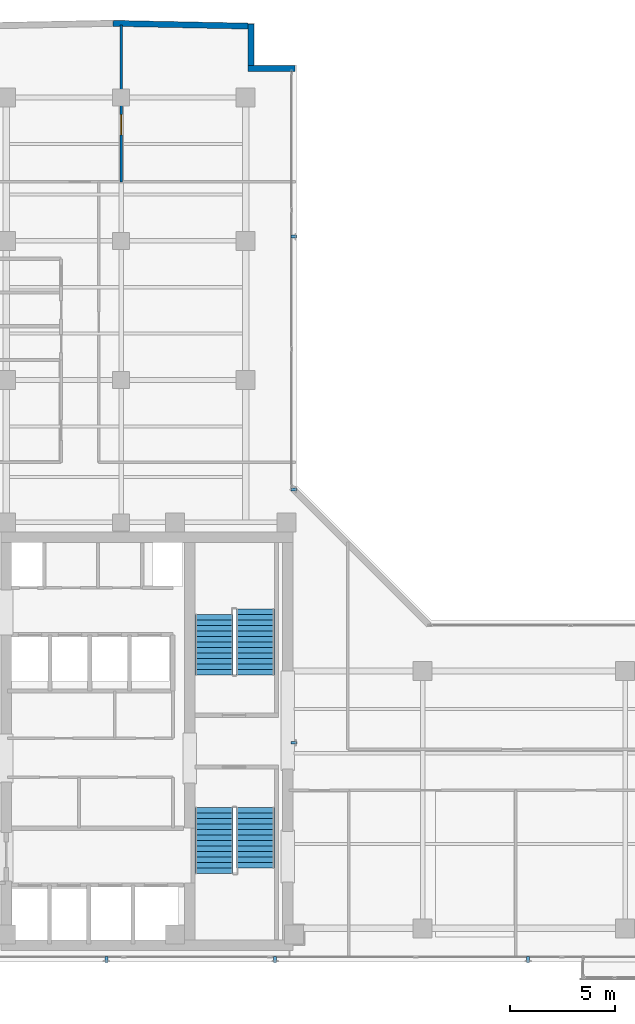
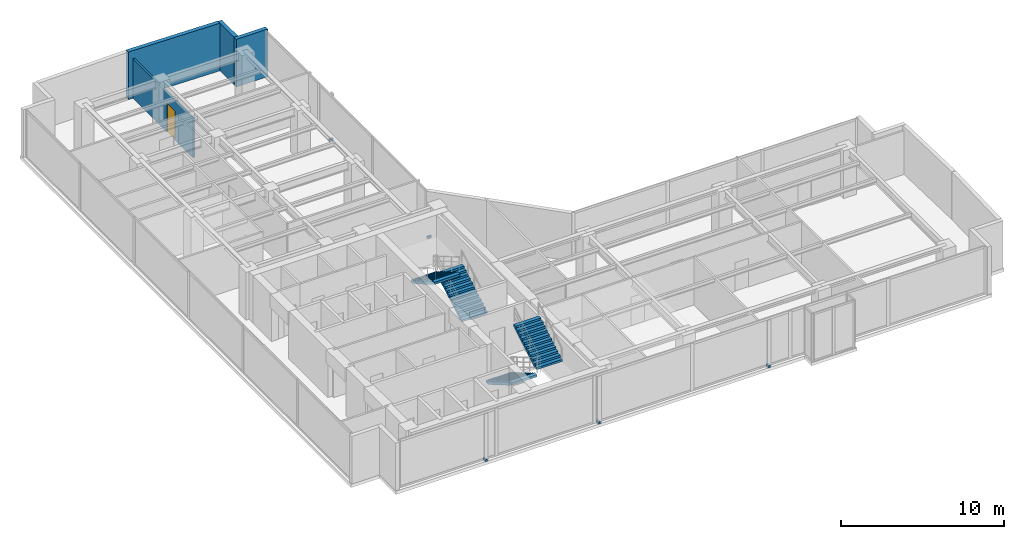
# One storey, part 19 of 24: 6 discrete accessories, 4 stair flights, 4 walls, 1 door, 1 opening, 2 elements without a shape of their own.
"""IFC4 building model written with IfcOpenShell, lengths in metres."""

from ifc_helpers import new_model, si_unit, direction, frame, frame_2d, origin, origin_with_axes, origin_2d, place, context, subcontext, project, spatial, polyline, rectangle, outline, extrude, source, transform, mapped, material, layer, layer_set, type_object, element, fill, aggregate, save


model = new_model("IFC4")

# Units and contexts
model_context = context("Model", 3, precision=1e-05, world=origin(), true_north=direction((0.0, 1.0)))
body_context = subcontext(model_context, "Body", "Model", "MODEL_VIEW")
ifc_project = project(units=[si_unit("LENGTHUNIT", "METRE"), si_unit("AREAUNIT", "SQUARE_METRE"), si_unit("VOLUMEUNIT", "CUBIC_METRE"), si_unit("PLANEANGLEUNIT", "RADIAN"), si_unit("MASSUNIT", "GRAM", prefix="KILO")], contexts=[model_context])

# Site, building, storey
site_placement = place(None, origin())
site = spatial("IfcSite", under=ifc_project, at=site_placement, CompositionType="ELEMENT")
building_placement = place(site_placement, origin())
building = spatial("IfcBuilding", under=site, at=building_placement, Name="Kolvaren Waterfront Exchange", CompositionType="ELEMENT")
storey_placement = place(building_placement, frame((0.0, 0.0, 331.199951171875)))
storey = spatial("IfcBuildingStorey", under=building, at=storey_placement, Name="L85", CompositionType="ELEMENT", Elevation=331.199951171875)

# Walls
ifc_material_1 = material(Name="Precast concrete C40/50", Category="concrete")
ifc_layer_1 = layer(ifc_material_1, 0.280029296875, Name="Precast concrete C40/50")
ifc_layer_set_1 = layer_set([ifc_layer_1], Name="Precast concrete C40/50")
wall_type_1 = type_object("IfcWallType", Name="ARC-EXT-TERR-280", PredefinedType="SOLIDWALL", material=ifc_layer_set_1)
wall_1_placement = place(storey_placement, frame((18.910400390625, 45.976806640625, 0.0), z_axis=(0.0, 0.0, 1.0), x_axis=(1.0, 0.0, 0.0)))
element("IfcWall", 1, at=wall_1_placement, inside=storey, type_object=wall_type_1, Name="L85 notched corner spandrel pier NNE-A", PredefinedType="SOLIDWALL", context=body_context, shape_type="SweptSolid", body=[
    extrude(rectangle(XDim=2.239990234375, YDim=0.280029296875, at=frame_2d((1.1201171875, 0.0))), origin(), (0.0, 0.0, 1.0), 3.56005859375),
])
wall_2_placement = place(storey_placement, frame((19.050537109375, 46.11669921875, 0.0), z_axis=(0.0, 0.0, 1.0), x_axis=(0.0, 1.0, 0.0)))
element("IfcWall", 2, at=wall_2_placement, inside=storey, type_object=wall_type_1, Name="L85 notched corner spandrel pier NNE-B", PredefinedType="SOLIDWALL", context=body_context, shape_type="SweptSolid", body=[
    extrude(rectangle(XDim=1.960205078125, YDim=0.280029296875, at=frame_2d((0.97998046875, 0.0))), origin(), (0.0, 0.0, 1.0), 3.56005859375),
])
wall_3_placement = place(storey_placement, frame((18.9072265625, 47.98291015625, 0.0), z_axis=(0.0, 0.0, 1.0), x_axis=(-0.999791627443, 0.020413272503, 0.0)))
element("IfcWall", 3, at=wall_3_placement, inside=storey, type_object=wall_type_1, Name="L85 north prow faceted facade wall 1", PredefinedType="SOLIDWALL", context=body_context, shape_type="SweptSolid", body=[
    extrude(rectangle(XDim=6.386474609375, YDim=0.280029296875, at=frame_2d((3.193359375, 0.0))), origin(), (0.0, 0.0, 1.0), 3.56005859375),
])

# Wall, opening, door
ifc_material_2 = material(Name="Acoustic gypsum steel stud", Category="steel")
ifc_layer_2 = layer(ifc_material_2, 0.125, Name="Acoustic gypsum steel stud")
ifc_layer_set_2 = layer_set([ifc_layer_2], Name="Acoustic gypsum steel stud")
wall_type_2 = type_object("IfcWallType", Name="ARC-PART-125", PredefinedType="PARTITIONING", material=ifc_layer_set_2)
wall_4_placement = place(storey_placement, frame((12.89990234375, 40.60009765625, 0.0), z_axis=(0.0, 0.0, 1.0), x_axis=(0.0, 1.0, 0.0)))
wall_4 = element("IfcWall", 4, at=wall_4_placement, inside=storey, type_object=wall_type_2, Name="L85 interior wall PW-L85-NTIP-DIV", PredefinedType="PARTITIONING", context=body_context, shape_type="SweptSolid", body=[
    extrude(rectangle(XDim=7.43359375, YDim=0.125, at=frame_2d((3.716796875, 0.0))), origin(), (0.0, 0.0, 1.0), 2.9599609375),
])
opening_placement = place(wall_4_placement, frame((2.230712890625, 0.0, 0.0)))
opening = element("IfcOpeningElement", 5, at=opening_placement, cuts=wall_4, Name="Opening D02", PredefinedType="OPENING", context=body_context, shape_type="SweptSolid", body=[
    extrude(rectangle(XDim=0.949951171875, YDim=2.14990234375, at=frame_2d((0.47509765625, 1.074951171875))), frame((0.0, 0.072509765625, 0.0), z_axis=(0.0, -1.0, 0.0), x_axis=(1.0, 0.0, 0.0)), (0.0, 0.0, 1.0), 0.14501953125),
])
ifc_material_3 = material(Name="Oak veneer acoustic timber", Category="wood")
door_type = type_object("IfcDoorType", Name="ARC-DR-950", OperationType="NOTDEFINED", PredefinedType="DOOR", material=ifc_material_3)
door_placement = place(opening_placement, origin())
door = element("IfcDoor", 6, at=door_placement, inside=storey, type_object=door_type, Name="L85 door DR-L85-NTIPE-D (D02)", OperationType="SINGLE_SWING_RIGHT", OverallHeight=2.14990234375, OverallWidth=0.949951171875, PredefinedType="DOOR", context=body_context, shape_type="SweptSolid", body=[
    extrude(rectangle(XDim=0.949951171875, YDim=2.14990234375, at=frame_2d((0.47509765625, 1.074951171875))), frame((0.0, 0.02490234375, 0.0), z_axis=(0.0, -1.0, 0.0), x_axis=(1.0, 0.0, 0.0)), (0.0, 0.0, 1.0), 0.050048828125),
])
fill(opening, door)

# Stair, stair flights
ifc_material_4 = material(Name="Concrete C40/50", Category="concrete")
stair_type = type_object("IfcStairType", Name="ARC-STAIR-3800", PredefinedType="HALF_TURN_STAIR", material=ifc_material_4)
stair_1_placement = place(storey_placement, origin())
stair_1 = element("IfcStair", 7, at=stair_1_placement, inside=storey, type_object=stair_type, Name="L85 Smoke-proof exit stair ST1", PredefinedType="HALF_TURN_STAIR")
stair_flight_type = type_object("IfcStairFlightType", Name="ARC-FLIGHT-3800", PredefinedType="STRAIGHT", material=ifc_material_4)
stair_flight_1_placement = place(storey_placement, frame((17.300048828125, 10.929931640625, 0.0), z_axis=(0.0, 0.0, 1.0), x_axis=(0.0, -1.0, 0.0)))
stair_flight_1 = element("IfcStairFlight", 8, at=stair_flight_1_placement, type_object=stair_flight_type, Name="ST1 flight 1", NumberOfRisers=13, NumberOfTreads=12, PredefinedType="STRAIGHT", RiserHeight=0.152, TreadLength=0.26, context=body_context, shape_type="SweptSolid", body=[
    extrude(outline(polyline([(0.0, 0.0), (0.0, 0.152099609375), (0.260009765625, 0.152099609375), (0.260009765625, 0.303955078125), (0.52001953125, 0.303955078125), (0.52001953125, 0.4560546875), (0.780029296875, 0.4560546875), (0.780029296875, 0.60791015625), (1.0400390625, 0.60791015625), (1.0400390625, 0.760009765625), (1.300048828125, 0.760009765625), (1.300048828125, 0.912109375), (1.56005859375, 0.912109375), (1.56005859375, 1.06396484375), (1.820068359375, 1.06396484375), (1.820068359375, 1.216064453125), (2.080078125, 1.216064453125), (2.080078125, 1.367919921875), (2.340087890625, 1.367919921875), (2.340087890625, 1.52001953125), (2.60009765625, 1.52001953125), (2.60009765625, 1.672119140625), (2.860107421875, 1.672119140625), (2.860107421875, 1.823974609375), (3.1201171875, 1.823974609375), (3.1201171875, 1.97607421875), (3.1201171875, 1.650390625), (0.297119140625, 0.0), (0.0, 0.0)])), frame((0.0, 0.89990234375, 0.0), z_axis=(0.0, -1.0, 0.0), x_axis=(1.0, 0.0, 0.0)), (0.0, 0.0, 1.0), 1.800048828125),
])
stair_flight_2_placement = place(storey_placement, frame((19.260009765625, 8.070068359375, 1.97607421875), z_axis=(0.0, 0.0, 1.0), x_axis=(0.0, 1.0, 0.0)))
stair_flight_2 = element("IfcStairFlight", 9, at=stair_flight_2_placement, type_object=stair_flight_type, Name="ST1 flight 2", NumberOfRisers=12, NumberOfTreads=11, PredefinedType="STRAIGHT", RiserHeight=0.152, TreadLength=0.26, context=body_context, shape_type="SweptSolid", body=[
    extrude(outline(polyline([(0.0, 0.0), (0.0, 0.152099609375), (0.260009765625, 0.152099609375), (0.260009765625, 0.303955078125), (0.52001953125, 0.303955078125), (0.52001953125, 0.4560546875), (0.780029296875, 0.4560546875), (0.780029296875, 0.60791015625), (1.0400390625, 0.60791015625), (1.0400390625, 0.760009765625), (1.300048828125, 0.760009765625), (1.300048828125, 0.912109375), (1.56005859375, 0.912109375), (1.56005859375, 1.06396484375), (1.820068359375, 1.06396484375), (1.820068359375, 1.216064453125), (2.080078125, 1.216064453125), (2.080078125, 1.367919921875), (2.340087890625, 1.367919921875), (2.340087890625, 1.52001953125), (2.60009765625, 1.52001953125), (2.60009765625, 1.672119140625), (2.860107421875, 1.672119140625), (2.860107421875, 1.823974609375), (2.860107421875, 1.498291015625), (0.297119140625, 0.0), (0.0, 0.0)])), frame((0.0, 0.89990234375, 0.0), z_axis=(0.0, -1.0, 0.0), x_axis=(1.0, 0.0, 0.0)), (0.0, 0.0, 1.0), 1.800048828125),
])
aggregate(stair_1, [stair_flight_1, stair_flight_2])

stair_2_placement = place(storey_placement, origin())
stair_2 = element("IfcStair", 10, at=stair_2_placement, inside=storey, type_object=stair_type, Name="L85 Smoke-proof exit stair ST2", PredefinedType="HALF_TURN_STAIR")
stair_flight_3_placement = place(storey_placement, frame((19.260009765625, 17.219970703125, 0.0), z_axis=(0.0, 0.0, 1.0), x_axis=(0.0, 1.0, 0.0)))
stair_flight_3 = element("IfcStairFlight", 11, at=stair_flight_3_placement, type_object=stair_flight_type, Name="ST2 flight 1", NumberOfRisers=13, NumberOfTreads=12, PredefinedType="STRAIGHT", RiserHeight=0.152, TreadLength=0.26, context=body_context, shape_type="SweptSolid", body=[
    extrude(outline(polyline([(0.0, 0.0), (0.0, 0.152099609375), (0.260009765625, 0.152099609375), (0.260009765625, 0.303955078125), (0.52001953125, 0.303955078125), (0.52001953125, 0.4560546875), (0.780029296875, 0.4560546875), (0.780029296875, 0.60791015625), (1.0400390625, 0.60791015625), (1.0400390625, 0.760009765625), (1.300048828125, 0.760009765625), (1.300048828125, 0.912109375), (1.56005859375, 0.912109375), (1.56005859375, 1.06396484375), (1.820068359375, 1.06396484375), (1.820068359375, 1.216064453125), (2.080078125, 1.216064453125), (2.080078125, 1.367919921875), (2.340087890625, 1.367919921875), (2.340087890625, 1.52001953125), (2.60009765625, 1.52001953125), (2.60009765625, 1.672119140625), (2.860107421875, 1.672119140625), (2.860107421875, 1.823974609375), (3.1201171875, 1.823974609375), (3.1201171875, 1.97607421875), (3.1201171875, 1.650390625), (0.297119140625, 0.0), (0.0, 0.0)])), frame((0.0, 0.89990234375, 0.0), z_axis=(0.0, -1.0, 0.0), x_axis=(1.0, 0.0, 0.0)), (0.0, 0.0, 1.0), 1.800048828125),
])
stair_flight_4_placement = place(storey_placement, frame((17.300048828125, 20.080078125, 1.97607421875), z_axis=(0.0, 0.0, 1.0), x_axis=(0.0, -1.0, 0.0)))
stair_flight_4 = element("IfcStairFlight", 12, at=stair_flight_4_placement, type_object=stair_flight_type, Name="ST2 flight 2", NumberOfRisers=12, NumberOfTreads=11, PredefinedType="STRAIGHT", RiserHeight=0.152, TreadLength=0.26, context=body_context, shape_type="SweptSolid", body=[
    extrude(outline(polyline([(0.0, 0.0), (0.0, 0.152099609375), (0.260009765625, 0.152099609375), (0.260009765625, 0.303955078125), (0.52001953125, 0.303955078125), (0.52001953125, 0.4560546875), (0.780029296875, 0.4560546875), (0.780029296875, 0.60791015625), (1.0400390625, 0.60791015625), (1.0400390625, 0.760009765625), (1.300048828125, 0.760009765625), (1.300048828125, 0.912109375), (1.56005859375, 0.912109375), (1.56005859375, 1.06396484375), (1.820068359375, 1.06396484375), (1.820068359375, 1.216064453125), (2.080078125, 1.216064453125), (2.080078125, 1.367919921875), (2.340087890625, 1.367919921875), (2.340087890625, 1.52001953125), (2.60009765625, 1.52001953125), (2.60009765625, 1.672119140625), (2.860107421875, 1.672119140625), (2.860107421875, 1.823974609375), (2.860107421875, 1.498291015625), (0.297119140625, 0.0), (0.0, 0.0)])), frame((0.0, 0.89990234375, 0.0), z_axis=(0.0, -1.0, 0.0), x_axis=(1.0, 0.0, 0.0)), (0.0, 0.0, 1.0), 1.800048828125),
])
aggregate(stair_2, [stair_flight_3, stair_flight_4])

# Discrete accessories
ifc_material_5 = material(Name="Stainless steel 316", Category="steel")
discrete_accessory_type = type_object("IfcDiscreteAccessoryType", Name="ARC-BRK-FIN", PredefinedType="BRACKET", material=ifc_material_5)
shared_shape = source(origin_with_axes(), body_context, "Body", "SweptSolid", [
    extrude(rectangle(XDim=0.280029296875, YDim=0.139892578125, at=origin_2d()), origin(), (0.0, 0.0, 1.0), 0.159912109375),
])
for number, where, z_axis, x_axis, name in (
    (13, (12.199951171875, 3.719970703125, 0.0), (0.0, 0.0, 1.0), (0.0, -1.0, 0.0), "L85 bronze fin anchor bracket FIN-L85-S1"),
    (14, (20.199951171875, 3.719970703125, 0.0), (0.0, 0.0, 1.0), (0.0, -1.0, 0.0), "L85 bronze fin anchor bracket FIN-L85-S2"),
    (15, (32.199951171875, 3.719970703125, 0.0), (0.0, 0.0, 1.0), (0.0, -1.0, 0.0), "L85 bronze fin anchor bracket FIN-L85-S3"),
    (16, (21.090576171875, 14.0, 0.0), (0.0, 0.0, 1.0), (1.0, 0.0, 0.0), "L85 bronze fin anchor bracket FIN-L85-E1"),
    (17, (21.090576171875, 26.0, 0.0), (0.0, 0.0, 1.0), (1.0, 0.0, 0.0), "L85 bronze fin anchor bracket FIN-L85-E2"),
    (18, (21.090576171875, 38.0, 0.0), (0.0, 0.0, 1.0), (1.0, 0.0, 0.0), "L85 bronze fin anchor bracket FIN-L85-E3"),
):
    element("IfcDiscreteAccessory", number, at=place(storey_placement, frame(where, z_axis=z_axis, x_axis=x_axis)), inside=storey, type_object=discrete_accessory_type, Name=name, PredefinedType="BRACKET", context=body_context, shape_type="MappedRepresentation", body=[
        mapped(shared_shape, transform((0.0, 0.0, 0.0), x_axis=(1.0, 0.0, 0.0), y_axis=(0.0, 1.0, 0.0), z_axis=(0.0, 0.0, 1.0), scale=1.0)),
    ])

save(model, "model.ifc")
